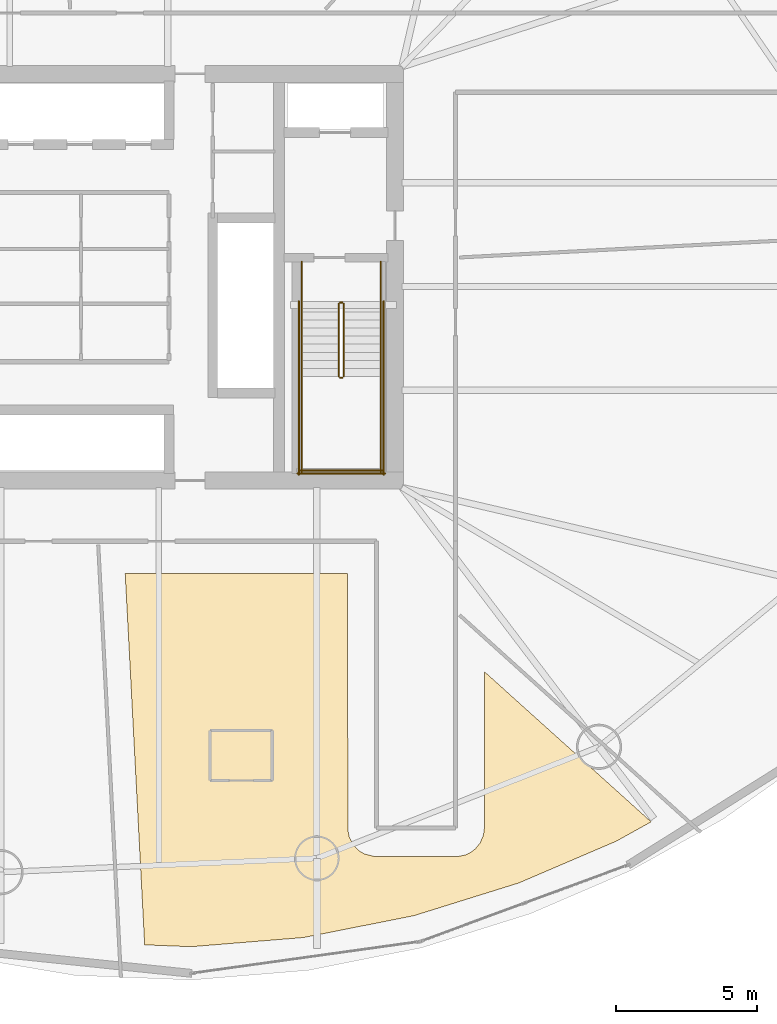
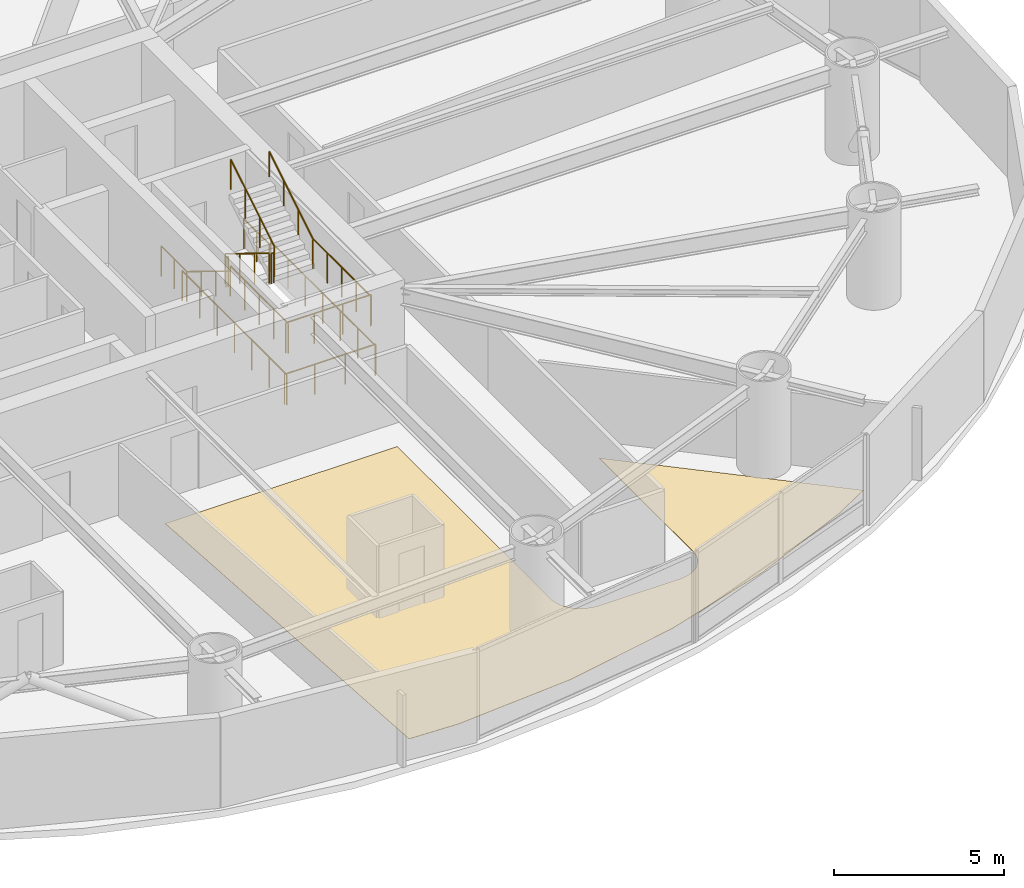
# One storey, part 29 of 30: 14 railings, 1 covering.
"""IFC4 building model written with IfcOpenShell, lengths in metres."""

from ifc_helpers import new_model, si_unit, direction, frame, origin, origin_2d, place, context, subcontext, project, spatial, polyline, circle, outline, extrude, material, layer, layer_set, type_object, element, save


model = new_model("IFC4")

# Units and contexts
model_context = context("Model", 3, precision=1e-05, world=origin(), true_north=direction((0.0, 1.0)))
body_context = subcontext(model_context, "Body", "Model", "MODEL_VIEW")
ifc_project = project(units=[si_unit("LENGTHUNIT", "METRE"), si_unit("AREAUNIT", "SQUARE_METRE"), si_unit("VOLUMEUNIT", "CUBIC_METRE"), si_unit("PLANEANGLEUNIT", "RADIAN"), si_unit("MASSUNIT", "GRAM", prefix="KILO")], contexts=[model_context])

# Site, building, storey
site_placement = place(None, origin())
site = spatial("IfcSite", under=ifc_project, at=site_placement, CompositionType="ELEMENT")
building_placement = place(site_placement, origin())
building = spatial("IfcBuilding", under=site, at=building_placement, Name="Bramvorn Convention Spire", CompositionType="ELEMENT")
storey_placement = place(building_placement, frame((0.0, 0.0, 86.89990234375)))
storey = spatial("IfcBuildingStorey", under=building, at=storey_placement, Name="L20", CompositionType="ELEMENT", Elevation=86.89990234375)

# Covering
ifc_material_1 = material(Name="Solution-Dyed Wool Broadloom Hospitality Carpet", Category="textile")
ifc_layer = layer(ifc_material_1, 0.014892578125)
ifc_layer_set = layer_set([ifc_layer], Name="Solution-Dyed Wool Broadloom Hospitality Carpet - FLR-CARPET-15")
covering_type = type_object("IfcCoveringType", Name="FLR-CARPET-15", PredefinedType="FLOORING", material=ifc_layer_set)
covering_placement = place(storey_placement, origin())
element("IfcCovering", 1, at=covering_placement, inside=storey, type_object=covering_type, Name="Hotel Suite 2007 wool broadloom carpet", PredefinedType="FLOORING", context=body_context, shape_type="SweptSolid", body=[
    extrude(outline(polyline([(56.84130859375, 6.029541015625), (58.07421875, 6.714111328125), (52.169921875, 12.0302734375), (52.169921875, 6.5), (52.137939453125, 6.24658203125), (52.021728515625, 5.970703125), (51.83935546875, 5.748291015625), (51.679443359375, 5.62841796875), (51.488037109375, 5.537841796875), (51.205810546875, 5.481689453125), (48.305908203125, 5.481201171875), (47.919189453125, 5.575439453125), (47.73779296875, 5.684326171875), (47.52734375, 5.897216796875), (47.3876953125, 6.162109375), (47.331787109375, 6.444091796875), (47.330078125, 15.5), (39.451416015625, 15.5), (40.14013671875, 2.358642578125), (41.785400390625, 2.29248046875), (45.772705078125, 2.617919921875), (49.6640625, 3.38818359375), (53.379638671875, 4.547119140625), (56.84130859375, 6.029541015625)])), origin(), (0.0, 0.0, 1.0), 0.01513671875),
])

# Railings
ifc_material_2 = material(Name="Painted Steel Balustrade & Guardrail", Category="steel")
railing_type_1 = type_object("IfcRailingType", Name="RL-STAIR-GUARD-1100", PredefinedType="GUARDRAIL", material=ifc_material_2)
railing_1_placement = place(storey_placement, frame((47.010009765625, 25.050048828125, 0.175048828125)))
element("IfcRailing", 2, at=railing_1_placement, inside=storey, type_object=railing_type_1, Name="L20 ST2 stair guard 1", PredefinedType="GUARDRAIL", context=body_context, shape_type="SweptSolid", body=[
    extrude(circle(Radius=0.02392578125, at=origin_2d()), frame((0.0, 0.0, 1.076171875), z_axis=(0.0, -0.852173129349, 0.523259933127), x_axis=(1.0, 0.0, 0.0)), (0.0, 0.0, 1.0), 3.009765625),
    extrude(circle(Radius=0.02099609375, at=origin_2d()), origin(), (0.0, 0.0, 1.0), 1.052001953125),
    extrude(circle(Radius=0.02099609375, at=origin_2d()), frame((0.0, -0.85498046875, 0.52490234375)), (0.0, 0.0, 1.0), 1.052001953125),
    extrude(circle(Radius=0.02099609375, at=origin_2d()), frame((0.0, -1.7099609375, 1.050048828125)), (0.0, 0.0, 1.0), 1.052001953125),
    extrude(circle(Radius=0.02099609375, at=origin_2d()), frame((0.0, -2.56494140625, 1.574951171875)), (0.0, 0.0, 1.0), 1.052001953125),
])
railing_2_placement = place(storey_placement, frame((47.06005859375, 22.43505859375, 1.75)))
element("IfcRailing", 3, at=railing_2_placement, inside=storey, type_object=railing_type_1, Name="L20 ST2 stair guard 2", PredefinedType="GUARDRAIL", context=body_context, shape_type="SweptSolid", body=[
    extrude(circle(Radius=0.02392578125, at=origin_2d()), frame((0.0, 0.0, 1.076171875), z_axis=(1.0, 0.0, 0.0), x_axis=(0.0, 1.0, 0.0)), (0.0, 0.0, 1.0), 0.079833984375),
    extrude(circle(Radius=0.02099609375, at=origin_2d()), origin(), (0.0, 0.0, 1.0), 1.052001953125),
    extrude(circle(Radius=0.02099609375, at=origin_2d()), frame((0.079833984375, 0.0, 0.0)), (0.0, 0.0, 1.0), 1.052001953125),
])
for number, where, name in (
    (4, (45.699951171875, 22.485107421875, 1.75), "L20 ST2 stair guard 3"),
    (5, (48.5, 22.485107421875, 1.75), "L20 ST2 stair guard 4"),
):
    element("IfcRailing", number, at=place(storey_placement, frame(where)), inside=storey, type_object=railing_type_1, Name=name, PredefinedType="GUARDRAIL", context=body_context, shape_type="SweptSolid", body=[
        extrude(circle(Radius=0.02392578125, at=origin_2d()), frame((0.0, 0.0, 1.076171875), z_axis=(0.0, -1.0, 0.0), x_axis=(1.0, 0.0, 0.0)), (0.0, 0.0, 1.0), 3.385009765625),
        extrude(circle(Radius=0.02099609375, at=origin_2d()), origin(), (0.0, 0.0, 1.0), 1.052001953125),
        extrude(circle(Radius=0.02099609375, at=origin_2d()), frame((0.0, -0.84619140625, 0.0)), (0.0, 0.0, 1.0), 1.052001953125),
        extrude(circle(Radius=0.02099609375, at=origin_2d()), frame((0.0, -1.6923828125, 0.0)), (0.0, 0.0, 1.0), 1.052001953125),
        extrude(circle(Radius=0.02099609375, at=origin_2d()), frame((0.0, -2.538818359375, 0.0)), (0.0, 0.0, 1.0), 1.052001953125),
        extrude(circle(Radius=0.02099609375, at=origin_2d()), frame((0.0, -3.385009765625, 0.0)), (0.0, 0.0, 1.0), 1.052001953125),
    ])
railing_3_placement = place(storey_placement, frame((45.64990234375, 19.14990234375, 1.75)))
element("IfcRailing", 6, at=railing_3_placement, inside=storey, type_object=railing_type_1, Name="L20 ST2 stair guard 5", PredefinedType="GUARDRAIL", context=body_context, shape_type="SweptSolid", body=[
    extrude(circle(Radius=0.02392578125, at=origin_2d()), frame((0.0, 0.0, 1.076171875), z_axis=(1.0, 0.0, 0.0), x_axis=(0.0, 1.0, 0.0)), (0.0, 0.0, 1.0), 2.900146484375),
    extrude(circle(Radius=0.02099609375, at=origin_2d()), origin(), (0.0, 0.0, 1.0), 1.052001953125),
    extrude(circle(Radius=0.02099609375, at=origin_2d()), frame((0.966796875, 0.0, 0.0)), (0.0, 0.0, 1.0), 1.052001953125),
    extrude(circle(Radius=0.02099609375, at=origin_2d()), frame((1.933349609375, 0.0, 0.0)), (0.0, 0.0, 1.0), 1.052001953125),
    extrude(circle(Radius=0.02099609375, at=origin_2d()), frame((2.900146484375, 0.0, 0.0)), (0.0, 0.0, 1.0), 1.052001953125),
])
railing_4_placement = place(storey_placement, frame((47.18994140625, 22.485107421875, 1.925048828125)))
element("IfcRailing", 7, at=railing_4_placement, inside=storey, type_object=railing_type_1, Name="L20 ST2 stair guard 6", PredefinedType="GUARDRAIL", context=body_context, shape_type="SweptSolid", body=[
    extrude(circle(Radius=0.02392578125, at=origin_2d()), frame((0.0, 0.0, 1.076171875), z_axis=(0.0, 0.852173129349, 0.523259933127), x_axis=(-1.0, 0.0, 0.0)), (0.0, 0.0, 1.0), 3.009765625),
    extrude(circle(Radius=0.02099609375, at=origin_2d()), origin(), (0.0, 0.0, 1.0), 1.052001953125),
    extrude(circle(Radius=0.02099609375, at=origin_2d()), frame((0.0, 0.85498046875, 0.52490234375)), (0.0, 0.0, 1.0), 1.052001953125),
    extrude(circle(Radius=0.02099609375, at=origin_2d()), frame((0.0, 1.7099609375, 1.050048828125)), (0.0, 0.0, 1.0), 1.052001953125),
    extrude(circle(Radius=0.02099609375, at=origin_2d()), frame((0.0, 2.56494140625, 1.574951171875)), (0.0, 0.0, 1.0), 1.052001953125),
])
railing_5_placement = place(storey_placement, frame((47.06005859375, 25.10009765625, 0.0)))
element("IfcRailing", 8, at=railing_5_placement, inside=storey, type_object=railing_type_1, Name="L20 ST2 stair guard 7", PredefinedType="GUARDRAIL", context=body_context, shape_type="SweptSolid", body=[
    extrude(circle(Radius=0.02392578125, at=origin_2d()), frame((0.0, 0.0, 1.076171875), z_axis=(1.0, 0.0, 0.0), x_axis=(0.0, 1.0, 0.0)), (0.0, 0.0, 1.0), 0.079833984375),
    extrude(circle(Radius=0.02099609375, at=origin_2d()), origin(), (0.0, 0.0, 1.0), 1.052001953125),
    extrude(circle(Radius=0.02099609375, at=origin_2d()), frame((0.079833984375, 0.0, 0.0)), (0.0, 0.0, 1.0), 1.052001953125),
])
for number, where, name in (
    (9, (45.699951171875, 26.550048828125, 0.0), "L20 ST2 stair guard 8"),
    (10, (48.5, 26.550048828125, 0.0), "L20 ST2 stair guard 9"),
):
    element("IfcRailing", number, at=place(storey_placement, frame(where)), inside=storey, type_object=railing_type_1, Name=name, PredefinedType="GUARDRAIL", context=body_context, shape_type="SweptSolid", body=[
        extrude(circle(Radius=0.02392578125, at=origin_2d()), frame((0.0, 0.0, 1.076171875), z_axis=(0.0, -1.0, 0.0), x_axis=(1.0, 0.0, 0.0)), (0.0, 0.0, 1.0), 1.5),
        extrude(circle(Radius=0.02099609375, at=origin_2d()), origin(), (0.0, 0.0, 1.0), 1.052001953125),
        extrude(circle(Radius=0.02099609375, at=origin_2d()), frame((0.0, -0.75, 0.0)), (0.0, 0.0, 1.0), 1.052001953125),
        extrude(circle(Radius=0.02099609375, at=origin_2d()), frame((0.0, -1.5, 0.0)), (0.0, 0.0, 1.0), 1.052001953125),
    ])
for number, where, name in (
    (11, (45.60009765625, 25.14990234375, 0.0), "L20 ST2 stair guard 10"),
    (12, (48.60009765625, 25.14990234375, 0.0), "L20 ST2 stair guard 11"),
):
    element("IfcRailing", number, at=place(storey_placement, frame(where)), inside=storey, type_object=railing_type_1, Name=name, PredefinedType="GUARDRAIL", context=body_context, shape_type="SweptSolid", body=[
        extrude(circle(Radius=0.02392578125, at=origin_2d()), frame((0.0, 0.0, 1.076171875), z_axis=(0.0, -1.0, 0.0), x_axis=(1.0, 0.0, 0.0)), (0.0, 0.0, 1.0), 6.14990234375),
        extrude(circle(Radius=0.02099609375, at=origin_2d()), origin(), (0.0, 0.0, 1.0), 1.052001953125),
        extrude(circle(Radius=0.02099609375, at=origin_2d()), frame((0.0, -1.02490234375, 0.0)), (0.0, 0.0, 1.0), 1.052001953125),
        extrude(circle(Radius=0.02099609375, at=origin_2d()), frame((0.0, -2.050048828125, 0.0)), (0.0, 0.0, 1.0), 1.052001953125),
        extrude(circle(Radius=0.02099609375, at=origin_2d()), frame((0.0, -3.074951171875, 0.0)), (0.0, 0.0, 1.0), 1.052001953125),
        extrude(circle(Radius=0.02099609375, at=origin_2d()), frame((0.0, -4.099853515625, 0.0)), (0.0, 0.0, 1.0), 1.052001953125),
        extrude(circle(Radius=0.02099609375, at=origin_2d()), frame((0.0, -5.125, 0.0)), (0.0, 0.0, 1.0), 1.052001953125),
        extrude(circle(Radius=0.02099609375, at=origin_2d()), frame((0.0, -6.14990234375, 0.0)), (0.0, 0.0, 1.0), 1.052001953125),
    ])
railing_6_placement = place(storey_placement, frame((45.550048828125, 19.050048828125, 0.0)))
element("IfcRailing", 13, at=railing_6_placement, inside=storey, type_object=railing_type_1, Name="L20 ST2 stair guard 12", PredefinedType="GUARDRAIL", context=body_context, shape_type="SweptSolid", body=[
    extrude(circle(Radius=0.02392578125, at=origin_2d()), frame((0.0, 0.0, 1.076171875), z_axis=(1.0, 0.0, 0.0), x_axis=(0.0, 1.0, 0.0)), (0.0, 0.0, 1.0), 3.099853515625),
    extrude(circle(Radius=0.02099609375, at=origin_2d()), origin(), (0.0, 0.0, 1.0), 1.052001953125),
    extrude(circle(Radius=0.02099609375, at=origin_2d()), frame((1.033203125, 0.0, 0.0)), (0.0, 0.0, 1.0), 1.052001953125),
    extrude(circle(Radius=0.02099609375, at=origin_2d()), frame((2.066650390625, 0.0, 0.0)), (0.0, 0.0, 1.0), 1.052001953125),
    extrude(circle(Radius=0.02099609375, at=origin_2d()), frame((3.099853515625, 0.0, 0.0)), (0.0, 0.0, 1.0), 1.052001953125),
])
ifc_material_3 = material(Name="Brushed Bronze Tubular Handrail", Category="aluminium")
railing_type_2 = type_object("IfcRailingType", Name="RL-STAIR-HR-920", PredefinedType="HANDRAIL", material=ifc_material_3)
railing_7_placement = place(storey_placement, frame((45.699951171875, 25.050048828125, 0.175048828125)))
element("IfcRailing", 14, at=railing_7_placement, inside=storey, type_object=railing_type_2, Name="L20 ST2 stair handrail 1", PredefinedType="HANDRAIL", context=body_context, shape_type="SweptSolid", body=[
    extrude(circle(Radius=0.02392578125, at=origin_2d()), frame((0.0, 0.0, 0.89599609375), z_axis=(0.0, -0.852173129349, 0.523259933127), x_axis=(1.0, 0.0, 0.0)), (0.0, 0.0, 1.0), 3.009765625),
    extrude(circle(Radius=0.02099609375, at=origin_2d()), origin(), (0.0, 0.0, 1.0), 0.871826171875),
    extrude(circle(Radius=0.02099609375, at=origin_2d()), frame((0.0, -0.85498046875, 0.52490234375)), (0.0, 0.0, 1.0), 0.871826171875),
    extrude(circle(Radius=0.02099609375, at=origin_2d()), frame((0.0, -1.7099609375, 1.050048828125)), (0.0, 0.0, 1.0), 0.871826171875),
    extrude(circle(Radius=0.02099609375, at=origin_2d()), frame((0.0, -2.56494140625, 1.574951171875)), (0.0, 0.0, 1.0), 0.871826171875),
])
railing_8_placement = place(storey_placement, frame((48.5, 22.485107421875, 1.925048828125)))
element("IfcRailing", 15, at=railing_8_placement, inside=storey, type_object=railing_type_2, Name="L20 ST2 stair handrail 2", PredefinedType="HANDRAIL", context=body_context, shape_type="SweptSolid", body=[
    extrude(circle(Radius=0.02392578125, at=origin_2d()), frame((0.0, 0.0, 0.89599609375), z_axis=(0.0, 0.852173129349, 0.523259933127), x_axis=(-1.0, 0.0, 0.0)), (0.0, 0.0, 1.0), 3.009765625),
    extrude(circle(Radius=0.02099609375, at=origin_2d()), origin(), (0.0, 0.0, 1.0), 0.871826171875),
    extrude(circle(Radius=0.02099609375, at=origin_2d()), frame((0.0, 0.85498046875, 0.52490234375)), (0.0, 0.0, 1.0), 0.871826171875),
    extrude(circle(Radius=0.02099609375, at=origin_2d()), frame((0.0, 1.7099609375, 1.050048828125)), (0.0, 0.0, 1.0), 0.871826171875),
    extrude(circle(Radius=0.02099609375, at=origin_2d()), frame((0.0, 2.56494140625, 1.574951171875)), (0.0, 0.0, 1.0), 0.871826171875),
])

save(model, "model.ifc")
